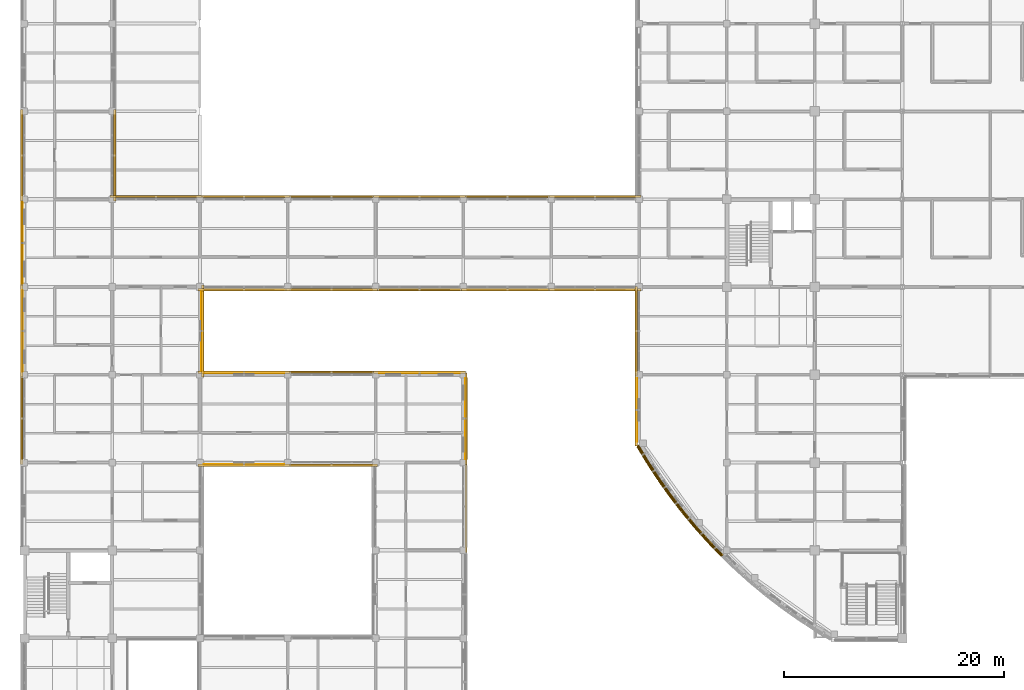
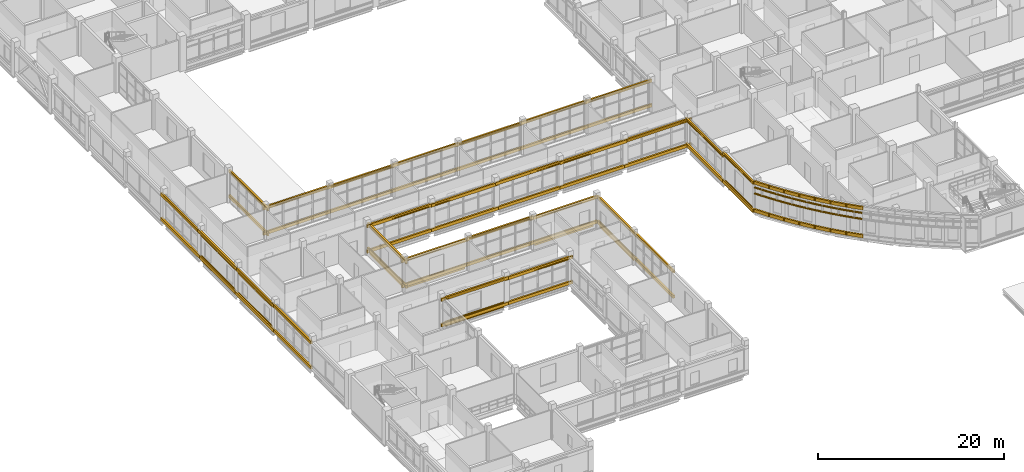
# One storey, part 108 of 121: 74 coverings, 41 shading devices.
"""IFC4 building model written with IfcOpenShell, lengths in metres."""

from ifc_helpers import new_model, si_unit, derived_unit, direction, frame, origin, origin_2d, place, context, subcontext, project, spatial, rectangle, circle, extrude, material, layer, layer_set, material_profile, profile_set, type_object, element, save


model = new_model("IFC4")

# Units and contexts
model_context = context("Model", 3, precision=1e-05, world=origin(), true_north=direction((0.0, 1.0)))
body_context = subcontext(model_context, "Body", "Model", "MODEL_VIEW")
ifc_project = project(units=[si_unit("LENGTHUNIT", "METRE"), si_unit("AREAUNIT", "SQUARE_METRE"), si_unit("VOLUMEUNIT", "CUBIC_METRE"), si_unit("PLANEANGLEUNIT", "RADIAN"), si_unit("MASSUNIT", "GRAM", prefix="KILO"), derived_unit("THERMALTRANSMITTANCEUNIT", [(si_unit("MASSUNIT", "GRAM", prefix="KILO"), 1), (si_unit("TIMEUNIT", "SECOND"), -3), (si_unit("THERMODYNAMICTEMPERATUREUNIT", "KELVIN"), -1)])], contexts=[model_context])

# Site, building, storey
site_placement = place(None, origin())
site = spatial("IfcSite", under=ifc_project, at=site_placement, CompositionType="ELEMENT")
building_placement = place(site_placement, origin())
building = spatial("IfcBuilding", under=site, at=building_placement, Name="Veyamyaing Civic Hall", CompositionType="ELEMENT")
storey_placement = place(building_placement, frame((0.0, 0.0, 5.280029296875)))
storey = spatial("IfcBuildingStorey", under=building, at=storey_placement, Name="L01", CompositionType="ELEMENT", Elevation=5.280029296875)

# Coverings
ifc_material_1 = material(Name="Buff sandstone ashlar cladding", Category="masonry")
ifc_layer_1 = layer(ifc_material_1, 0.050048828125, Name="Buff sandstone ashlar cladding")
ifc_layer_set_1 = layer_set([ifc_layer_1], Name="Buff sandstone ashlar cladding")
covering_type_1 = type_object("IfcCoveringType", Name="CL-01", PredefinedType="CLADDING", material=ifc_layer_set_1)
for number, where, z_axis, x_axis, name in (
    (1, (-0.160888671875, 44.0, 0.044921875), (0.0, 0.0, 1.0), (0.0, 1.0, 0.0), "Facade spandrel cladding CL-01 L01 W 1.6"),
    (2, (-0.160888671875, 52.0, 0.044921875), (0.0, 0.0, 1.0), (0.0, 1.0, 0.0), "Facade spandrel cladding CL-01 L01 W 1.7"),
    (3, (16.160888671875, 44.0, 0.044921875), (0.0, 0.0, 1.0), (0.0, 1.0, 0.0), "Facade spandrel cladding CL-01 L01 E 2.6"),
    (4, (20.0, 31.819091796875, 0.044921875), (0.0, 0.0, 1.0), (1.0, 0.0, 0.0), "Facade spandrel cladding CL-01 L01 S 3.5"),
    (5, (20.0, 40.180908203125, 0.044921875), (0.0, 0.0, 1.0), (1.0, 0.0, 0.0), "Facade spandrel cladding CL-01 L01 N 3.5"),
    (6, (36.0, 40.180908203125, 0.044921875), (0.0, 0.0, 1.0), (1.0, 0.0, 0.0), "Facade spandrel cladding CL-01 L01 N 5.5"),
    (7, (40.180908203125, 36.0, 0.044921875), (0.0, 0.0, 1.0), (0.0, 1.0, 0.0), "Facade spandrel cladding CL-01 L01 E 5.5"),
):
    element("IfcCovering", number, at=place(storey_placement, frame(where, z_axis=z_axis, x_axis=x_axis)), inside=storey, type_object=covering_type_1, Name=name, PredefinedType="CLADDING", context=body_context, shape_type="SweptSolid", body=[
        extrude(rectangle(XDim=7.35009765625, YDim=0.050048828125, at=origin_2d()), origin(), (0.0, 0.0, 1.0), 0.75),
    ])
covering_placement = place(storey_placement, frame((55.826416015625, 36.78466796875, 0.044921875), z_axis=(0.0, 0.0, 1.0), x_axis=(0.0, 1.0, 0.0)))
element("IfcCovering", 8, at=covering_placement, inside=storey, type_object=covering_type_1, Name="Facade spandrel cladding CL-01 L01 W 8.5", PredefinedType="CLADDING", context=body_context, shape_type="SweptSolid", body=[
    extrude(rectangle(XDim=5.78076171875, YDim=0.050048828125, at=origin_2d()), origin(), (0.0, 0.0, 1.0), 0.75),
])
ifc_material_2 = material(Name="White powder-coated aluminium 6063-T6", Category="aluminium")
ifc_layer_2 = layer(ifc_material_2, 0.2099609375, Name="White powder-coated aluminium 6063-T6")
ifc_layer_set_2 = layer_set([ifc_layer_2], Name="White powder-coated aluminium 6063-T6")
covering_type_2 = type_object("IfcCoveringType", Name="CL-03", PredefinedType="CLADDING", material=ifc_layer_set_2)
for number, where, z_axis, x_axis, name in (
    (9, (56.394775390625, 32.75927734375, 0.27001953125), (0.0, 0.0, 1.0), (0.516106513571, -0.856524411006, 0.0), "Continuous white corner ribbon CL-03 L01 SW.1.1"),
    (10, (56.394775390625, 32.75927734375, 3.945068359375), (0.0, 0.0, 1.0), (0.516106513571, -0.856524411006, 0.0), "Continuous white corner ribbon CL-03 L01 SW.1.2"),
    (11, (57.351318359375, 31.23681640625, 0.27001953125), (0.0, 0.0, 1.0), (0.547771714075, -0.836627843942, 0.0), "Continuous white corner ribbon CL-03 L01 SW.2.1"),
    (12, (57.351318359375, 31.23681640625, 3.945068359375), (0.0, 0.0, 1.0), (0.547771714075, -0.836627843942, 0.0), "Continuous white corner ribbon CL-03 L01 SW.2.2"),
    (13, (58.364013671875, 29.751708984375, 0.27001953125), (0.0, 0.0, 1.0), (0.578671161892, -0.815560964241, 0.0), "Continuous white corner ribbon CL-03 L01 SW.3.1"),
    (14, (58.364013671875, 29.751708984375, 3.945068359375), (0.0, 0.0, 1.0), (0.578671161892, -0.815560964241, 0.0), "Continuous white corner ribbon CL-03 L01 SW.3.2"),
    (15, (59.431396484375, 28.30517578125, 0.27001953125), (0.0, 0.0, 1.0), (0.608761490723, -0.793353292936, 0.0), "Continuous white corner ribbon CL-03 L01 SW.4.1"),
    (16, (59.431396484375, 28.30517578125, 3.945068359375), (0.0, 0.0, 1.0), (0.608761490723, -0.793353292936, 0.0), "Continuous white corner ribbon CL-03 L01 SW.4.2"),
    (17, (60.55224609375, 26.8994140625, 0.27001953125), (0.0, 0.0, 1.0), (0.638000405445, -0.770036026853, 0.0), "Continuous white corner ribbon CL-03 L01 SW.5.1"),
    (18, (60.55224609375, 26.8994140625, 3.945068359375), (0.0, 0.0, 1.0), (0.638000405445, -0.770036026853, 0.0), "Continuous white corner ribbon CL-03 L01 SW.5.2"),
    (19, (61.72509765625, 25.536865234375, 0.27001953125), (0.0, 0.0, 1.0), (0.666346529453, -0.745642208225, 0.0), "Continuous white corner ribbon CL-03 L01 SW.6.1"),
    (20, (61.72509765625, 25.536865234375, 3.945068359375), (0.0, 0.0, 1.0), (0.666346529453, -0.745642208225, 0.0), "Continuous white corner ribbon CL-03 L01 SW.6.2"),
    (21, (62.94775390625, 24.218994140625, 0.27001953125), (0.0, 0.0, 1.0), (0.693760978012, -0.720205321688, 0.0), "Continuous white corner ribbon CL-03 L01 SW.7.1"),
    (22, (62.94775390625, 24.218994140625, 3.945068359375), (0.0, 0.0, 1.0), (0.693760978012, -0.720205321688, 0.0), "Continuous white corner ribbon CL-03 L01 SW.7.2"),
):
    element("IfcCovering", number, at=place(storey_placement, frame(where, z_axis=z_axis, x_axis=x_axis)), inside=storey, type_object=covering_type_2, Name=name, PredefinedType="CLADDING", context=body_context, shape_type="SweptSolid", body=[
        extrude(rectangle(XDim=1.93505859375, YDim=0.2099609375, at=origin_2d()), origin(), (0.0, 0.0, 1.0), 0.419921875),
    ])
for number, where, z_axis, x_axis, name in (
    (23, (-0.239990234375, 36.0, 3.593994140625), (0.0, 0.0, 1.0), (0.0, 1.0, 0.0), "Continuous white head fascia ribbon CL-03 L01 W 1.5"),
    (24, (-0.239990234375, 36.0, 0.280029296875), (0.0, 0.0, 1.0), (0.0, 1.0, 0.0), "Continuous white sill fascia ribbon CL-03 L01 W 1.5"),
    (25, (-0.239990234375, 44.0, 3.533935546875), (0.0, 0.0, 1.0), (0.0, 1.0, 0.0), "Continuous white head fascia ribbon CL-03 L01 W 1.6"),
    (26, (-0.239990234375, 44.0, 0.280029296875), (0.0, 0.0, 1.0), (0.0, 1.0, 0.0), "Continuous white sill fascia ribbon CL-03 L01 W 1.6"),
    (27, (-0.239990234375, 52.0, 3.596923828125), (0.0, 0.0, 1.0), (0.0, 1.0, 0.0), "Continuous white head fascia ribbon CL-03 L01 W 1.7"),
    (28, (-0.239990234375, 52.0, 0.280029296875), (0.0, 0.0, 1.0), (0.0, 1.0, 0.0), "Continuous white sill fascia ribbon CL-03 L01 W 1.7"),
    (29, (-0.239990234375, 60.0, 3.530029296875), (0.0, 0.0, 1.0), (0.0, 1.0, 0.0), "Continuous white head fascia ribbon CL-03 L01 W 1.8"),
    (30, (-0.239990234375, 60.0, 0.280029296875), (0.0, 0.0, 1.0), (0.0, 1.0, 0.0), "Continuous white sill fascia ribbon CL-03 L01 W 1.8"),
    (31, (8.239990234375, 60.0, 3.593994140625), (0.0, 0.0, 1.0), (0.0, 1.0, 0.0), "Continuous white head fascia ribbon CL-03 L01 E 1.8"),
    (32, (8.239990234375, 60.0, 0.280029296875), (0.0, 0.0, 1.0), (0.0, 1.0, 0.0), "Continuous white sill fascia ribbon CL-03 L01 E 1.8"),
    (33, (16.239990234375, 44.0, 3.530029296875), (0.0, 0.0, 1.0), (0.0, 1.0, 0.0), "Continuous white head fascia ribbon CL-03 L01 E 2.6"),
    (34, (16.239990234375, 44.0, 0.280029296875), (0.0, 0.0, 1.0), (0.0, 1.0, 0.0), "Continuous white sill fascia ribbon CL-03 L01 E 2.6"),
    (35, (12.0, 56.239990234375, 3.593994140625), (0.0, 0.0, 1.0), (1.0, 0.0, 0.0), "Continuous white head fascia ribbon CL-03 L01 N 2.7"),
    (36, (12.0, 56.239990234375, 0.280029296875), (0.0, 0.0, 1.0), (1.0, 0.0, 0.0), "Continuous white sill fascia ribbon CL-03 L01 N 2.7"),
    (37, (20.0, 31.760009765625, 3.64208984375), (0.0, 0.0, 1.0), (1.0, 0.0, 0.0), "Continuous white head fascia ribbon CL-03 L01 S 3.5"),
    (38, (20.0, 31.760009765625, 0.280029296875), (0.0, 0.0, 1.0), (1.0, 0.0, 0.0), "Continuous white sill fascia ribbon CL-03 L01 S 3.5"),
    (39, (20.0, 40.239990234375, 3.574951171875), (0.0, 0.0, 1.0), (1.0, 0.0, 0.0), "Continuous white head fascia ribbon CL-03 L01 N 3.5"),
    (40, (20.0, 40.239990234375, 0.280029296875), (0.0, 0.0, 1.0), (1.0, 0.0, 0.0), "Continuous white sill fascia ribbon CL-03 L01 N 3.5"),
    (41, (20.0, 47.760009765625, 3.593994140625), (0.0, 0.0, 1.0), (1.0, 0.0, 0.0), "Continuous white head fascia ribbon CL-03 L01 S 3.7"),
    (42, (20.0, 47.760009765625, 0.280029296875), (0.0, 0.0, 1.0), (1.0, 0.0, 0.0), "Continuous white sill fascia ribbon CL-03 L01 S 3.7"),
    (43, (20.0, 56.239990234375, 3.533935546875), (0.0, 0.0, 1.0), (1.0, 0.0, 0.0), "Continuous white head fascia ribbon CL-03 L01 N 3.7"),
    (44, (20.0, 56.239990234375, 0.280029296875), (0.0, 0.0, 1.0), (1.0, 0.0, 0.0), "Continuous white sill fascia ribbon CL-03 L01 N 3.7"),
    (45, (28.0, 31.760009765625, 3.574951171875), (0.0, 0.0, 1.0), (1.0, 0.0, 0.0), "Continuous white head fascia ribbon CL-03 L01 S 4.5"),
    (46, (28.0, 31.760009765625, 0.280029296875), (0.0, 0.0, 1.0), (1.0, 0.0, 0.0), "Continuous white sill fascia ribbon CL-03 L01 S 4.5"),
    (47, (28.0, 40.239990234375, 3.638916015625), (0.0, 0.0, 1.0), (1.0, 0.0, 0.0), "Continuous white head fascia ribbon CL-03 L01 N 4.5"),
    (48, (28.0, 40.239990234375, 0.280029296875), (0.0, 0.0, 1.0), (1.0, 0.0, 0.0), "Continuous white sill fascia ribbon CL-03 L01 N 4.5"),
    (49, (28.0, 47.760009765625, 3.533935546875), (0.0, 0.0, 1.0), (1.0, 0.0, 0.0), "Continuous white head fascia ribbon CL-03 L01 S 4.7"),
    (50, (28.0, 47.760009765625, 0.280029296875), (0.0, 0.0, 1.0), (1.0, 0.0, 0.0), "Continuous white sill fascia ribbon CL-03 L01 S 4.7"),
    (51, (28.0, 56.239990234375, 3.596923828125), (0.0, 0.0, 1.0), (1.0, 0.0, 0.0), "Continuous white head fascia ribbon CL-03 L01 N 4.7"),
    (52, (28.0, 56.239990234375, 0.280029296875), (0.0, 0.0, 1.0), (1.0, 0.0, 0.0), "Continuous white sill fascia ribbon CL-03 L01 N 4.7"),
    (53, (40.239990234375, 28.0, 3.593994140625), (0.0, 0.0, 1.0), (0.0, 1.0, 0.0), "Continuous white head fascia ribbon CL-03 L01 E 5.4"),
    (54, (40.239990234375, 28.0, 0.280029296875), (0.0, 0.0, 1.0), (0.0, 1.0, 0.0), "Continuous white sill fascia ribbon CL-03 L01 E 5.4"),
    (55, (36.0, 40.239990234375, 3.533935546875), (0.0, 0.0, 1.0), (1.0, 0.0, 0.0), "Continuous white head fascia ribbon CL-03 L01 N 5.5"),
    (56, (36.0, 40.239990234375, 0.280029296875), (0.0, 0.0, 1.0), (1.0, 0.0, 0.0), "Continuous white sill fascia ribbon CL-03 L01 N 5.5"),
    (57, (40.239990234375, 36.0, 3.533935546875), (0.0, 0.0, 1.0), (0.0, 1.0, 0.0), "Continuous white head fascia ribbon CL-03 L01 E 5.5"),
    (58, (40.239990234375, 36.0, 0.280029296875), (0.0, 0.0, 1.0), (0.0, 1.0, 0.0), "Continuous white sill fascia ribbon CL-03 L01 E 5.5"),
    (59, (36.0, 47.760009765625, 3.596923828125), (0.0, 0.0, 1.0), (1.0, 0.0, 0.0), "Continuous white head fascia ribbon CL-03 L01 S 5.7"),
    (60, (36.0, 47.760009765625, 0.280029296875), (0.0, 0.0, 1.0), (1.0, 0.0, 0.0), "Continuous white sill fascia ribbon CL-03 L01 S 5.7"),
    (61, (36.0, 56.239990234375, 3.530029296875), (0.0, 0.0, 1.0), (1.0, 0.0, 0.0), "Continuous white head fascia ribbon CL-03 L01 N 5.7"),
    (62, (36.0, 56.239990234375, 0.280029296875), (0.0, 0.0, 1.0), (1.0, 0.0, 0.0), "Continuous white sill fascia ribbon CL-03 L01 N 5.7"),
    (63, (44.0, 47.760009765625, 3.530029296875), (0.0, 0.0, 1.0), (1.0, 0.0, 0.0), "Continuous white head fascia ribbon CL-03 L01 S 6.7"),
    (64, (44.0, 47.760009765625, 0.280029296875), (0.0, 0.0, 1.0), (1.0, 0.0, 0.0), "Continuous white sill fascia ribbon CL-03 L01 S 6.7"),
    (65, (44.0, 56.239990234375, 3.593994140625), (0.0, 0.0, 1.0), (1.0, 0.0, 0.0), "Continuous white head fascia ribbon CL-03 L01 N 6.7"),
    (66, (44.0, 56.239990234375, 0.280029296875), (0.0, 0.0, 1.0), (1.0, 0.0, 0.0), "Continuous white sill fascia ribbon CL-03 L01 N 6.7"),
    (67, (52.0, 47.760009765625, 3.593994140625), (0.0, 0.0, 1.0), (1.0, 0.0, 0.0), "Continuous white head fascia ribbon CL-03 L01 S 7.7"),
    (68, (52.0, 47.760009765625, 0.280029296875), (0.0, 0.0, 1.0), (1.0, 0.0, 0.0), "Continuous white sill fascia ribbon CL-03 L01 S 7.7"),
    (69, (52.0, 56.239990234375, 3.533935546875), (0.0, 0.0, 1.0), (1.0, 0.0, 0.0), "Continuous white head fascia ribbon CL-03 L01 N 7.7"),
    (70, (52.0, 56.239990234375, 0.280029296875), (0.0, 0.0, 1.0), (1.0, 0.0, 0.0), "Continuous white sill fascia ribbon CL-03 L01 N 7.7"),
):
    element("IfcCovering", number, at=place(storey_placement, frame(where, z_axis=z_axis, x_axis=x_axis)), inside=storey, type_object=covering_type_2, Name=name, PredefinedType="CLADDING", context=body_context, shape_type="SweptSolid", body=[
        extrude(rectangle(XDim=8.360107421875, YDim=0.2099609375, at=origin_2d()), origin(), (0.0, 0.0, 1.0), 0.39990234375),
    ])
for number, where, z_axis, x_axis, name in (
    (71, (55.760009765625, 36.78466796875, 3.955078125), (0.0, 0.0, 1.0), (0.0, 1.0, 0.0), "Continuous white head fascia ribbon CL-03 L01 W 8.5"),
    (72, (55.760009765625, 36.78466796875, 0.280029296875), (0.0, 0.0, 1.0), (0.0, 1.0, 0.0), "Continuous white sill fascia ribbon CL-03 L01 W 8.5"),
):
    element("IfcCovering", number, at=place(storey_placement, frame(where, z_axis=z_axis, x_axis=x_axis)), inside=storey, type_object=covering_type_2, Name=name, PredefinedType="CLADDING", context=body_context, shape_type="SweptSolid", body=[
        extrude(rectangle(XDim=6.55078125, YDim=0.2099609375, at=origin_2d()), origin(), (0.0, 0.0, 1.0), 0.39990234375),
    ])
for number, where, z_axis, x_axis, name in (
    (73, (55.760009765625, 44.0, 3.593994140625), (0.0, 0.0, 1.0), (0.0, 1.0, 0.0), "Continuous white head fascia ribbon CL-03 L01 W 8.6"),
    (74, (55.760009765625, 44.0, 0.280029296875), (0.0, 0.0, 1.0), (0.0, 1.0, 0.0), "Continuous white sill fascia ribbon CL-03 L01 W 8.6"),
):
    element("IfcCovering", number, at=place(storey_placement, frame(where, z_axis=z_axis, x_axis=x_axis)), inside=storey, type_object=covering_type_2, Name=name, PredefinedType="CLADDING", context=body_context, shape_type="SweptSolid", body=[
        extrude(rectangle(XDim=8.1201171875, YDim=0.2099609375, at=origin_2d()), origin(), (0.0, 0.0, 1.0), 0.39990234375),
    ])

# Shading devices
ifc_material_3 = material(Name="Anodised aluminium 6063-T6", Category="aluminium")
ifc_material_profile_1 = material_profile(ifc_material_3, rectangle(XDim=0.050048828125, YDim=0.25, at=origin_2d()), Name="LOUVRE-BLADE-50X250")
ifc_profile_set_1 = profile_set([ifc_material_profile_1], Name="Anodised aluminium 6063-T6")
shading_device_type_1 = type_object("IfcShadingDeviceType", Name="LV-01", PredefinedType="JALOUSIE", material=ifc_profile_set_1)
for number, where, z_axis, x_axis, name in (
    (75, (-0.219970703125, 40.284912109375, 3.364013671875), (0.0, 1.0, 0.0), (-1.0, 0.0, 0.0), "Monsoon solar louvre LV-01 L01 W 1.6"),
    (76, (-0.219970703125, 48.284912109375, 3.427001953125), (0.0, 1.0, 0.0), (-1.0, 0.0, 0.0), "Monsoon solar louvre LV-01 L01 W 1.7"),
):
    element("IfcShadingDevice", number, at=place(storey_placement, frame(where, z_axis=z_axis, x_axis=x_axis)), inside=storey, type_object=shading_device_type_1, Name=name, PredefinedType="JALOUSIE", context=body_context, shape_type="SweptSolid", body=[
        extrude(rectangle(XDim=0.050048828125, YDim=0.25, at=origin_2d()), origin(), (0.0, 0.0, 1.0), 7.43017578125),
    ])
ifc_material_profile_2 = material_profile(ifc_material_2, circle(Radius=0.110107421875, at=origin_2d()), Name="SHADE-TUBE-220")
ifc_profile_set_2 = profile_set([ifc_material_profile_2], Name="White powder-coated aluminium 6063-T6")
shading_device_type_2 = type_object("IfcShadingDeviceType", Name="SH-01", PredefinedType="USERDEFINED", material=ifc_profile_set_2)
for number, where, z_axis, x_axis, name in (
    (77, (55.863037109375, 33.486572265625, 2.75), (0.51607516088, -0.856543302071, 0.0), (0.856543302071, 0.51607516088, 0.0), "White corner sunshade ribbon SH-01 L01 SW.1.1"),
    (78, (55.863037109375, 33.486572265625, 3.550048828125), (0.51607516088, -0.856543302071, 0.0), (0.856543302071, 0.51607516088, 0.0), "White corner sunshade ribbon SH-01 L01 SW.1.2"),
):
    element("IfcShadingDevice", number, at=place(storey_placement, frame(where, z_axis=z_axis, x_axis=x_axis)), inside=storey, type_object=shading_device_type_2, Name=name, ObjectType="SUNSHADE", PredefinedType="USERDEFINED", context=body_context, shape_type="SweptSolid", body=[
        extrude(circle(Radius=0.110107421875, at=origin_2d()), origin(), (0.0, 0.0, 1.0), 1.794921875),
    ])
for number, where, z_axis, x_axis, name in (
    (79, (56.79248046875, 31.944091796875, 2.75), (0.547776876079, -0.836624464161, 0.0), (0.836624464161, 0.547776876079, 0.0), "White corner sunshade ribbon SH-01 L01 SW.2.1"),
    (80, (56.79248046875, 31.944091796875, 3.550048828125), (0.547776876079, -0.836624464161, 0.0), (0.836624464161, 0.547776876079, 0.0), "White corner sunshade ribbon SH-01 L01 SW.2.2"),
):
    element("IfcShadingDevice", number, at=place(storey_placement, frame(where, z_axis=z_axis, x_axis=x_axis)), inside=storey, type_object=shading_device_type_2, Name=name, ObjectType="SUNSHADE", PredefinedType="USERDEFINED", context=body_context, shape_type="SweptSolid", body=[
        extrude(circle(Radius=0.110107421875, at=origin_2d()), origin(), (0.0, 0.0, 1.0), 1.795166015625),
    ])
for number, where, z_axis, x_axis, name in (
    (81, (57.779296875, 30.437255859375, 2.75), (0.578726580586, -0.815521639764, 0.0), (0.815521639764, 0.578726580586, 0.0), "White corner sunshade ribbon SH-01 L01 SW.3.1"),
    (82, (57.779296875, 30.437255859375, 3.550048828125), (0.578726580586, -0.815521639764, 0.0), (0.815521639764, 0.578726580586, 0.0), "White corner sunshade ribbon SH-01 L01 SW.3.2"),
):
    element("IfcShadingDevice", number, at=place(storey_placement, frame(where, z_axis=z_axis, x_axis=x_axis)), inside=storey, type_object=shading_device_type_2, Name=name, ObjectType="SUNSHADE", PredefinedType="USERDEFINED", context=body_context, shape_type="SweptSolid", body=[
        extrude(circle(Radius=0.110107421875, at=origin_2d()), origin(), (0.0, 0.0, 1.0), 1.794921875),
    ])
for number, where, z_axis, x_axis, name in (
    (83, (58.821533203125, 28.968505859375, 2.75), (0.608711298549, -0.79339180423, 0.0), (0.79339180423, 0.608711298549, 0.0), "White corner sunshade ribbon SH-01 L01 SW.4.1"),
    (84, (58.821533203125, 28.968505859375, 3.550048828125), (0.608711298549, -0.79339180423, 0.0), (0.79339180423, 0.608711298549, 0.0), "White corner sunshade ribbon SH-01 L01 SW.4.2"),
    (85, (59.918212890625, 27.53955078125, 2.75), (0.637987912111, -0.770046377824, 0.0), (0.770046377824, 0.637987912111, 0.0), "White corner sunshade ribbon SH-01 L01 SW.5.1"),
    (86, (59.918212890625, 27.53955078125, 3.550048828125), (0.637987912111, -0.770046377824, 0.0), (0.770046377824, 0.637987912111, 0.0), "White corner sunshade ribbon SH-01 L01 SW.5.2"),
    (87, (61.0673828125, 26.15283203125, 2.75), (0.666277888361, -0.745703543965, 0.0), (0.745703543965, 0.666277888361, 0.0), "White corner sunshade ribbon SH-01 L01 SW.6.1"),
    (88, (61.0673828125, 26.15283203125, 3.550048828125), (0.666277888361, -0.745703543965, 0.0), (0.745703543965, 0.666277888361, 0.0), "White corner sunshade ribbon SH-01 L01 SW.6.2"),
):
    element("IfcShadingDevice", number, at=place(storey_placement, frame(where, z_axis=z_axis, x_axis=x_axis)), inside=storey, type_object=shading_device_type_2, Name=name, ObjectType="SUNSHADE", PredefinedType="USERDEFINED", context=body_context, shape_type="SweptSolid", body=[
        extrude(circle(Radius=0.110107421875, at=origin_2d()), origin(), (0.0, 0.0, 1.0), 1.795166015625),
    ])
for number, where, z_axis, x_axis, name in (
    (89, (62.267578125, 24.809814453125, 2.75), (0.693790654785, -0.720176733402, 0.0), (0.720176733402, 0.693790654785, 0.0), "White corner sunshade ribbon SH-01 L01 SW.7.1"),
    (90, (62.267578125, 24.809814453125, 3.550048828125), (0.693790654785, -0.720176733402, 0.0), (0.720176733402, 0.693790654785, 0.0), "White corner sunshade ribbon SH-01 L01 SW.7.2"),
):
    element("IfcShadingDevice", number, at=place(storey_placement, frame(where, z_axis=z_axis, x_axis=x_axis)), inside=storey, type_object=shading_device_type_2, Name=name, ObjectType="SUNSHADE", PredefinedType="USERDEFINED", context=body_context, shape_type="SweptSolid", body=[
        extrude(circle(Radius=0.110107421875, at=origin_2d()), origin(), (0.0, 0.0, 1.0), 1.794921875),
    ])
shading_device_1_placement = place(storey_placement, frame((55.760009765625, 33.854248046875, 4.114990234375), z_axis=(0.0, 1.0, 0.0), x_axis=(-1.0, 0.0, 0.0)))
element("IfcShadingDevice", 91, at=shading_device_1_placement, inside=storey, type_object=shading_device_type_2, Name="Horizontal white sunshade ribbon SH-01 L01 W 8.5", ObjectType="SUNSHADE", PredefinedType="USERDEFINED", context=body_context, shape_type="SweptSolid", body=[
    extrude(circle(Radius=0.110107421875, at=origin_2d()), origin(), (0.0, 0.0, 1.0), 5.86083984375),
])
shading_device_2_placement = place(storey_placement, frame((55.760009765625, 40.284912109375, 3.75390625), z_axis=(0.0, 1.0, 0.0), x_axis=(-1.0, 0.0, 0.0)))
element("IfcShadingDevice", 92, at=shading_device_2_placement, inside=storey, type_object=shading_device_type_2, Name="Horizontal white sunshade ribbon SH-01 L01 W 8.6", ObjectType="SUNSHADE", PredefinedType="USERDEFINED", context=body_context, shape_type="SweptSolid", body=[
    extrude(circle(Radius=0.110107421875, at=origin_2d()), origin(), (0.0, 0.0, 1.0), 7.43017578125),
])
ifc_material_profile_3 = material_profile(ifc_material_2, circle(Radius=0.090087890625, at=origin_2d()), Name="SHADE-TUBE-180")
ifc_profile_set_3 = profile_set([ifc_material_profile_3], Name="White powder-coated aluminium 6063-T6")
shading_device_type_3 = type_object("IfcShadingDeviceType", Name="SH-02", PredefinedType="USERDEFINED", material=ifc_profile_set_3)
for number, where, z_axis, x_axis, name in (
    (93, (-0.239990234375, 32.284912109375, 3.75390625), (0.0, 1.0, 0.0), (-1.0, 0.0, 0.0), "Horizontal white sunshade ribbon SH-02 L01 W 1.5"),
    (94, (-0.239990234375, 40.284912109375, 3.694091796875), (0.0, 1.0, 0.0), (-1.0, 0.0, 0.0), "Horizontal white sunshade ribbon SH-02 L01 W 1.6"),
    (95, (-0.239990234375, 48.284912109375, 3.757080078125), (0.0, 1.0, 0.0), (-1.0, 0.0, 0.0), "Horizontal white sunshade ribbon SH-02 L01 W 1.7"),
    (96, (-0.239990234375, 56.284912109375, 3.68994140625), (0.0, 1.0, 0.0), (-1.0, 0.0, 0.0), "Horizontal white sunshade ribbon SH-02 L01 W 1.8"),
    (97, (8.239990234375, 56.284912109375, 3.75390625), (0.0, 1.0, 0.0), (-1.0, 0.0, 0.0), "Horizontal white sunshade ribbon SH-02 L01 E 1.8"),
    (98, (16.239990234375, 40.284912109375, 3.68994140625), (0.0, 1.0, 0.0), (-1.0, 0.0, 0.0), "Horizontal white sunshade ribbon SH-02 L01 E 2.6"),
    (99, (8.284912109375, 56.239990234375, 3.75390625), (1.0, 0.0, 0.0), (0.0, 1.0, 0.0), "Horizontal white sunshade ribbon SH-02 L01 N 2.7"),
    (100, (16.284912109375, 31.760009765625, 3.802001953125), (1.0, 0.0, 0.0), (0.0, 1.0, 0.0), "Horizontal white sunshade ribbon SH-02 L01 S 3.5"),
    (101, (16.284912109375, 40.239990234375, 3.73486328125), (1.0, 0.0, 0.0), (0.0, 1.0, 0.0), "Horizontal white sunshade ribbon SH-02 L01 N 3.5"),
    (102, (16.284912109375, 47.760009765625, 3.75390625), (1.0, 0.0, 0.0), (0.0, 1.0, 0.0), "Horizontal white sunshade ribbon SH-02 L01 S 3.7"),
    (103, (16.284912109375, 56.239990234375, 3.694091796875), (1.0, 0.0, 0.0), (0.0, 1.0, 0.0), "Horizontal white sunshade ribbon SH-02 L01 N 3.7"),
    (104, (24.284912109375, 31.760009765625, 3.73486328125), (1.0, 0.0, 0.0), (0.0, 1.0, 0.0), "Horizontal white sunshade ribbon SH-02 L01 S 4.5"),
    (105, (24.284912109375, 40.239990234375, 3.799072265625), (1.0, 0.0, 0.0), (0.0, 1.0, 0.0), "Horizontal white sunshade ribbon SH-02 L01 N 4.5"),
    (106, (24.284912109375, 47.760009765625, 3.694091796875), (1.0, 0.0, 0.0), (0.0, 1.0, 0.0), "Horizontal white sunshade ribbon SH-02 L01 S 4.7"),
    (107, (24.284912109375, 56.239990234375, 3.757080078125), (1.0, 0.0, 0.0), (0.0, 1.0, 0.0), "Horizontal white sunshade ribbon SH-02 L01 N 4.7"),
    (108, (32.284912109375, 40.239990234375, 3.694091796875), (1.0, 0.0, 0.0), (0.0, 1.0, 0.0), "Horizontal white sunshade ribbon SH-02 L01 N 5.5"),
    (109, (40.239990234375, 32.284912109375, 3.694091796875), (0.0, 1.0, 0.0), (-1.0, 0.0, 0.0), "Horizontal white sunshade ribbon SH-02 L01 E 5.5"),
    (110, (32.284912109375, 47.760009765625, 3.757080078125), (1.0, 0.0, 0.0), (0.0, 1.0, 0.0), "Horizontal white sunshade ribbon SH-02 L01 S 5.7"),
    (111, (32.284912109375, 56.239990234375, 3.68994140625), (1.0, 0.0, 0.0), (0.0, 1.0, 0.0), "Horizontal white sunshade ribbon SH-02 L01 N 5.7"),
    (112, (40.284912109375, 47.760009765625, 3.68994140625), (1.0, 0.0, 0.0), (0.0, 1.0, 0.0), "Horizontal white sunshade ribbon SH-02 L01 S 6.7"),
    (113, (40.284912109375, 56.239990234375, 3.75390625), (1.0, 0.0, 0.0), (0.0, 1.0, 0.0), "Horizontal white sunshade ribbon SH-02 L01 N 6.7"),
    (114, (48.284912109375, 47.760009765625, 3.75390625), (1.0, 0.0, 0.0), (0.0, 1.0, 0.0), "Horizontal white sunshade ribbon SH-02 L01 S 7.7"),
    (115, (48.284912109375, 56.239990234375, 3.694091796875), (1.0, 0.0, 0.0), (0.0, 1.0, 0.0), "Horizontal white sunshade ribbon SH-02 L01 N 7.7"),
):
    element("IfcShadingDevice", number, at=place(storey_placement, frame(where, z_axis=z_axis, x_axis=x_axis)), inside=storey, type_object=shading_device_type_3, Name=name, ObjectType="SUNSHADE", PredefinedType="USERDEFINED", context=body_context, shape_type="SweptSolid", body=[
        extrude(circle(Radius=0.090087890625, at=origin_2d()), origin(), (0.0, 0.0, 1.0), 7.43017578125),
    ])

save(model, "model.ifc")
